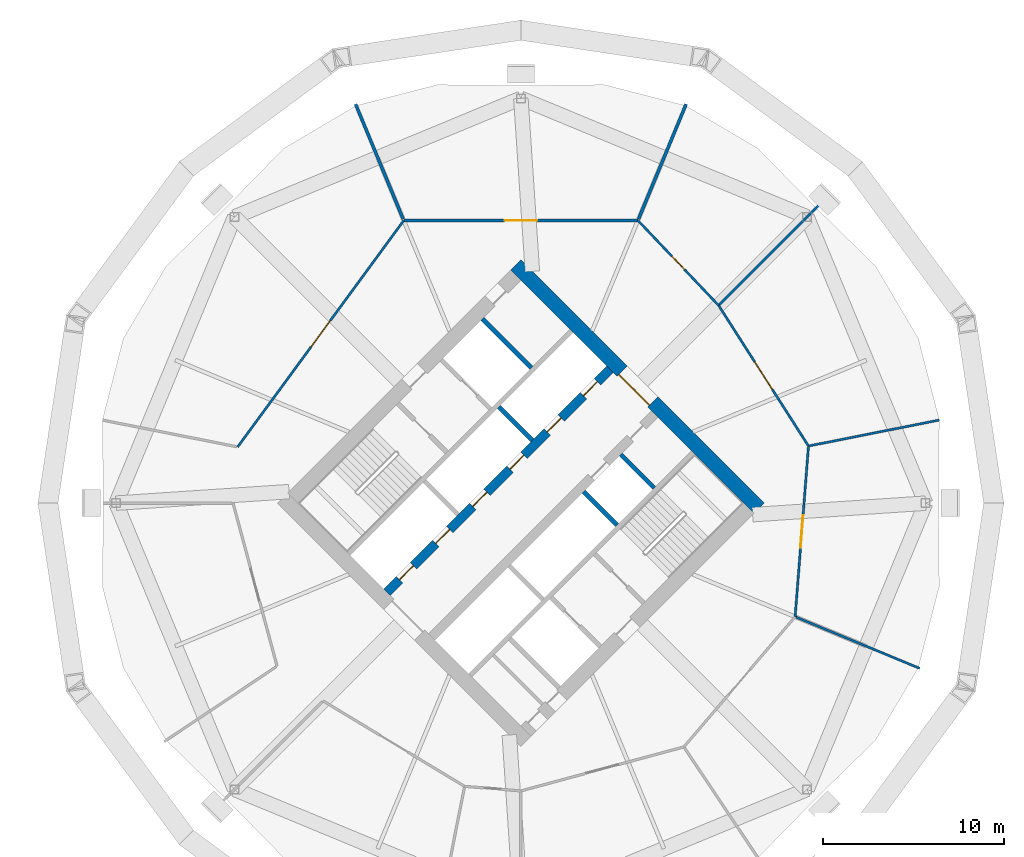
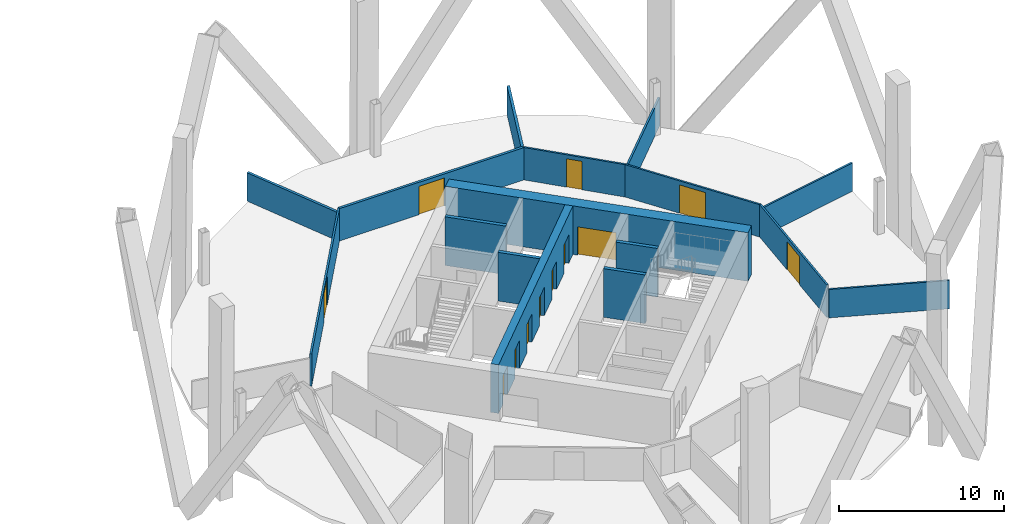
# One storey, part 7 of 10: 16 walls, 12 doors, 12 openings.
"""IFC4 building model written with IfcOpenShell, lengths in metres."""

from ifc_helpers import new_model, si_unit, direction, frame, frame_2d, origin, place, context, subcontext, project, spatial, rectangle, extrude, material, layer, layer_set, type_object, element, fill, save


model = new_model("IFC4")

# Units and contexts
model_context = context("Model", 3, precision=1e-05, world=origin(), true_north=direction((0.0, 1.0)))
body_context = subcontext(model_context, "Body", "Model", "MODEL_VIEW")
ifc_project = project(units=[si_unit("LENGTHUNIT", "METRE"), si_unit("AREAUNIT", "SQUARE_METRE"), si_unit("VOLUMEUNIT", "CUBIC_METRE"), si_unit("PLANEANGLEUNIT", "RADIAN"), si_unit("MASSUNIT", "GRAM", prefix="KILO")], contexts=[model_context])

# Site, building, storey
site_placement = place(None, origin())
site = spatial("IfcSite", under=ifc_project, at=site_placement, CompositionType="ELEMENT")
building_placement = place(site_placement, origin())
building = spatial("IfcBuilding", under=site, at=building_placement, Name="Ogive Gate Towers", CompositionType="ELEMENT")
storey_placement = place(building_placement, frame((0.0, 0.0, 119.10009765625)))
storey = spatial("IfcBuildingStorey", under=building, at=storey_placement, Name="L28", CompositionType="ELEMENT", Elevation=119.10009765625)

# Walls
ifc_material_1 = material(Name="Gypsum board acoustic partition")
ifc_layer_1 = layer(ifc_material_1, 0.175048828125)
ifc_layer_set_1 = layer_set([ifc_layer_1], Name="Acoustic partition 175")
wall_type_1 = type_object("IfcWallType", Name="Acoustic partition 175", PredefinedType="PARTITIONING", material=ifc_layer_set_1)
for number, where, z_axis, x_axis, name in (
    (1, (45.124755859375, 22.029052734375, 0.0), (0.0, 0.0, 1.0), (-0.382677442996, -0.923882013367, 0.0), "Partition T2-L28-003"),
    (2, (26.875244140625, 22.029052734375, 0.0), (0.0, 0.0, 1.0), (0.382677442996, -0.923882013367, 0.0), "Partition T2-L28-004"),
):
    element("IfcWall", number, at=place(storey_placement, frame(where, z_axis=z_axis, x_axis=x_axis)), inside=storey, type_object=wall_type_1, Name=name, PredefinedType="PARTITIONING", context=body_context, shape_type="SweptSolid", body=[
        extrude(rectangle(XDim=6.864013671875, YDim=0.175048828125, at=frame_2d((3.43212890625, 0.0))), origin(), (0.0, 0.0, 1.0), 2.099853515625),
    ])

# Wall, opening, door
wall_1_placement = place(storey_placement, frame((42.464599609375, 15.606689453125, 0.0), z_axis=(0.0, 0.0, 1.0), x_axis=(-1.0, 0.0, 0.0)))
wall_1 = element("IfcWall", 3, at=wall_1_placement, inside=storey, type_object=wall_type_1, Name="Partition T2-L28-021", PredefinedType="PARTITIONING", context=body_context, shape_type="SweptSolid", body=[
    extrude(rectangle(XDim=12.92919921875, YDim=0.175048828125, at=frame_2d((6.464599609375, 0.0))), origin(), (0.0, 0.0, 1.0), 2.39990234375),
])
opening_1_placement = place(wall_1_placement, frame((5.56396484375, 0.0, 0.0)))
opening_1 = element("IfcOpeningElement", 4, at=opening_1_placement, cuts=wall_1, Name="Opening T2-L28-D09", PredefinedType="OPENING", context=body_context, shape_type="SweptSolid", body=[
    extrude(rectangle(XDim=1.800048828125, YDim=2.10009765625, at=frame_2d((0.89990234375, 1.050048828125))), frame((0.0, 0.09765625, 0.0), z_axis=(0.0, -1.0, 0.0), x_axis=(1.0, 0.0, 0.0)), (0.0, 0.0, 1.0), 0.195068359375),
])
ifc_material_2 = material(Name="Timber door", Category="wood")
door_type_1 = type_object("IfcDoorType", Name="Door pair 1800", OperationType="NOTDEFINED", PredefinedType="DOOR", material=ifc_material_2)
door_1_placement = place(opening_1_placement, origin())
door_1 = element("IfcDoor", 5, at=door_1_placement, inside=storey, type_object=door_type_1, Name="Door T2-L28-D09", OperationType="DOUBLE_DOOR_DOUBLE_SWING", OverallHeight=2.10009765625, OverallWidth=1.800048828125, PredefinedType="DOOR", context=body_context, shape_type="SweptSolid", body=[
    extrude(rectangle(XDim=1.800048828125, YDim=2.10009765625, at=frame_2d((0.89990234375, 1.050048828125))), frame((0.0, 0.02490234375, 0.0), z_axis=(0.0, -1.0, 0.0), x_axis=(1.0, 0.0, 0.0)), (0.0, 0.0, 1.0), 0.050048828125),
])
fill(opening_1, door_1)

ifc_material_3 = material(Name="Concrete C60/75", Category="concrete")
ifc_layer_2 = layer(ifc_material_3, 0.800048828125)
ifc_layer_set_2 = layer_set([ifc_layer_2], Name="Core wall 800 mm")
wall_type_2 = type_object("IfcWallType", Name="Core wall 800 mm", PredefinedType="SHEAR", material=ifc_layer_set_2)
wall_2_placement = place(storey_placement, frame((49.152099609375, -0.28271484375, 0.0), z_axis=(0.0, 0.0, 1.0), x_axis=(-0.707106781187, 0.707106781187, 0.0)))
wall_2 = element("IfcWall", 6, at=wall_2_placement, inside=storey, type_object=wall_type_2, Name="T2 L28 Core wall 800 mm", PredefinedType="SHEAR", context=body_context, shape_type="SweptSolid", body=[
    extrude(rectangle(XDim=18.999755859375, YDim=0.800048828125, at=frame_2d((9.5, 0.0))), origin(), (0.0, 0.0, 1.0), 3.599853515625),
])
opening_2_placement = place(wall_2_placement, frame((8.300048828125, 0.0, 0.0)))
opening_2 = element("IfcOpeningElement", 7, at=opening_2_placement, cuts=wall_2, Name="Opening KD-T2-L28-02", PredefinedType="OPENING", context=body_context, shape_type="SweptSolid", body=[
    extrude(rectangle(XDim=2.39990234375, YDim=2.10009765625, at=frame_2d((1.199951171875, 1.050048828125))), frame((0.0, 0.41015625, 0.0), z_axis=(0.0, -1.0, 0.0), x_axis=(1.0, 0.0, 0.0)), (0.0, 0.0, 1.0), 0.820068359375),
])
ifc_material_4 = material(Name="Steel fire door", Category="steel")
door_type_2 = type_object("IfcDoorType", Name="Core double door FD60S 2400 x 2100", OperationType="DOUBLE_DOOR_SINGLE_SWING", PredefinedType="DOOR", material=ifc_material_4)
door_2_placement = place(opening_2_placement, origin())
door_2 = element("IfcDoor", 8, at=door_2_placement, inside=storey, type_object=door_type_2, Name="T2 L28 Core door double", OperationType="DOUBLE_DOOR_SINGLE_SWING", OverallHeight=2.10009765625, OverallWidth=2.39990234375, PredefinedType="DOOR", context=body_context, shape_type="SweptSolid", body=[
    extrude(rectangle(XDim=2.39990234375, YDim=2.10009765625, at=frame_2d((1.199951171875, 1.050048828125))), frame((0.0, 0.27490234375, 0.0), z_axis=(0.0, -1.0, 0.0), x_axis=(1.0, 0.0, 0.0)), (0.0, 0.0, 1.0), 0.050048828125),
])
fill(opening_2, door_2)

# Walls
ifc_material_5 = material(Name="Gypsum board partition")
ifc_layer_3 = layer(ifc_material_5, 0.125)
ifc_layer_set_3 = layer_set([ifc_layer_3], Name="Partition 125")
wall_type_3 = type_object("IfcWallType", Name="Partition 125", PredefinedType="PARTITIONING", material=ifc_layer_set_3)
wall_3_placement = place(storey_placement, frame((59.1083984375, 4.5888671875, 0.0), z_axis=(0.0, 0.0, 1.0), x_axis=(-0.980848402392, -0.19477271761, 0.0)))
element("IfcWall", 9, at=wall_3_placement, inside=storey, type_object=wall_type_3, Name="Partition T2-L28-001", PredefinedType="PARTITIONING", context=body_context, shape_type="SweptSolid", body=[
    extrude(rectangle(XDim=7.30517578125, YDim=0.125, at=frame_2d((3.652587890625, 0.0))), origin(), (0.0, 0.0, 1.0), 2.099853515625),
])
wall_4_placement = place(storey_placement, frame((52.4169921875, 16.4169921875, 0.0), z_axis=(0.0, 0.0, 1.0), x_axis=(-0.707106781187, -0.707106781187, 0.0)))
element("IfcWall", 10, at=wall_4_placement, inside=storey, type_object=wall_type_3, Name="Partition T2-L28-002", PredefinedType="PARTITIONING", context=body_context, shape_type="SweptSolid", body=[
    extrude(rectangle(XDim=7.71337890625, YDim=0.125, at=frame_2d((3.856689453125, 0.0))), origin(), (0.0, 0.0, 1.0), 2.099853515625),
])
wall_5_placement = place(storey_placement, frame((58.029052734375, -9.124755859375, 0.0), z_axis=(0.0, 0.0, 1.0), x_axis=(-0.923882331768, 0.382676674291, 0.0)))
element("IfcWall", 11, at=wall_5_placement, inside=storey, type_object=wall_type_3, Name="Partition T2-L28-012", PredefinedType="PARTITIONING", context=body_context, shape_type="SweptSolid", body=[
    extrude(rectangle(XDim=7.38916015625, YDim=0.125, at=frame_2d((3.694580078125, 0.0))), origin(), (0.0, 0.0, 1.0), 2.099853515625),
])

# Wall, opening, door
wall_6_placement = place(storey_placement, frame((51.144775390625, -6.273193359375, 0.0), z_axis=(0.0, 0.0, 1.0), x_axis=(0.07794821481, 0.996957409225, 0.0)))
wall_6 = element("IfcWall", 12, at=wall_6_placement, inside=storey, type_object=wall_type_3, Name="Partition T2-L28-018", PredefinedType="PARTITIONING", context=body_context, shape_type="SweptSolid", body=[
    extrude(rectangle(XDim=9.455810546875, YDim=0.125, at=frame_2d((4.72802734375, 0.0))), origin(), (0.0, 0.0, 1.0), 2.39990234375),
])
opening_3_placement = place(wall_6_placement, frame((3.827880859375, 0.0, 0.0)))
opening_3 = element("IfcOpeningElement", 13, at=opening_3_placement, cuts=wall_6, Name="Opening T2-L28-D06", PredefinedType="OPENING", context=body_context, shape_type="SweptSolid", body=[
    extrude(rectangle(XDim=1.800048828125, YDim=2.10009765625, at=frame_2d((0.89990234375, 1.050048828125))), frame((0.0, 0.072509765625, 0.0), z_axis=(0.0, -1.0, 0.0), x_axis=(1.0, 0.0, 0.0)), (0.0, 0.0, 1.0), 0.14501953125),
])
door_3_placement = place(opening_3_placement, origin())
door_3 = element("IfcDoor", 14, at=door_3_placement, inside=storey, type_object=door_type_1, Name="Door T2-L28-D06", OperationType="DOUBLE_DOOR_DOUBLE_SWING", OverallHeight=2.10009765625, OverallWidth=1.800048828125, PredefinedType="DOOR", context=body_context, shape_type="SweptSolid", body=[
    extrude(rectangle(XDim=1.800048828125, YDim=2.10009765625, at=frame_2d((0.89990234375, 1.050048828125))), frame((0.0, 0.02490234375, 0.0), z_axis=(0.0, -1.0, 0.0), x_axis=(1.0, 0.0, 0.0)), (0.0, 0.0, 1.0), 0.050048828125),
])
fill(opening_3, door_3)

wall_7_placement = place(storey_placement, frame((51.8818359375, 3.15380859375, 0.0), z_axis=(0.0, 0.0, 1.0), x_axis=(-0.538561197049, 0.84258639737, 0.0)))
wall_7 = element("IfcWall", 15, at=wall_7_placement, inside=storey, type_object=wall_type_3, Name="Partition T2-L28-019", PredefinedType="PARTITIONING", context=body_context, shape_type="SweptSolid", body=[
    extrude(rectangle(XDim=9.215576171875, YDim=0.125, at=frame_2d((4.60791015625, 0.0))), origin(), (0.0, 0.0, 1.0), 2.39990234375),
])
opening_4_placement = place(wall_7_placement, frame((3.7080078125, 0.0, 0.0)))
opening_4 = element("IfcOpeningElement", 16, at=opening_4_placement, cuts=wall_7, Name="Opening T2-L28-D07", PredefinedType="OPENING", context=body_context, shape_type="SweptSolid", body=[
    extrude(rectangle(XDim=1.800048828125, YDim=2.10009765625, at=frame_2d((0.89990234375, 1.050048828125))), frame((0.0, 0.072509765625, 0.0), z_axis=(0.0, -1.0, 0.0), x_axis=(1.0, 0.0, 0.0)), (0.0, 0.0, 1.0), 0.14501953125),
])
door_4_placement = place(opening_4_placement, origin())
door_4 = element("IfcDoor", 17, at=door_4_placement, inside=storey, type_object=door_type_1, Name="Door T2-L28-D07", OperationType="DOUBLE_DOOR_DOUBLE_SWING", OverallHeight=2.10009765625, OverallWidth=1.800048828125, PredefinedType="DOOR", context=body_context, shape_type="SweptSolid", body=[
    extrude(rectangle(XDim=1.800048828125, YDim=2.10009765625, at=frame_2d((0.89990234375, 1.050048828125))), frame((0.0, 0.02490234375, 0.0), z_axis=(0.0, -1.0, 0.0), x_axis=(1.0, 0.0, 0.0)), (0.0, 0.0, 1.0), 0.050048828125),
])
fill(opening_4, door_4)

wall_8_placement = place(storey_placement, frame((46.918701171875, 10.918701171875, 0.0), z_axis=(0.0, 0.0, 1.0), x_axis=(-0.688791134482, 0.724959842377, 0.0)))
wall_8 = element("IfcWall", 18, at=wall_8_placement, inside=storey, type_object=wall_type_3, Name="Partition T2-L28-020", PredefinedType="PARTITIONING", context=body_context, shape_type="SweptSolid", body=[
    extrude(rectangle(XDim=6.466552734375, YDim=0.125, at=frame_2d((3.2333984375, 0.0))), origin(), (0.0, 0.0, 1.0), 2.39990234375),
])
opening_5_placement = place(wall_8_placement, frame((2.73291015625, 0.0, 0.0)))
opening_5 = element("IfcOpeningElement", 19, at=opening_5_placement, cuts=wall_8, Name="Opening T2-L28-D08", PredefinedType="OPENING", context=body_context, shape_type="SweptSolid", body=[
    extrude(rectangle(XDim=1.0, YDim=2.10009765625, at=frame_2d((0.5, 1.050048828125))), frame((0.0, 0.072509765625, 0.0), z_axis=(0.0, -1.0, 0.0), x_axis=(1.0, 0.0, 0.0)), (0.0, 0.0, 1.0), 0.14501953125),
])
door_type_3 = type_object("IfcDoorType", Name="Door 1000", OperationType="NOTDEFINED", PredefinedType="DOOR", material=ifc_material_2)
door_5_placement = place(opening_5_placement, origin())
door_5 = element("IfcDoor", 20, at=door_5_placement, inside=storey, type_object=door_type_3, Name="Door T2-L28-D08", OperationType="SINGLE_SWING_LEFT", OverallHeight=2.10009765625, OverallWidth=1.0, PredefinedType="DOOR", context=body_context, shape_type="SweptSolid", body=[
    extrude(rectangle(XDim=1.0, YDim=2.10009765625, at=frame_2d((0.5, 1.050048828125))), frame((0.0, 0.02490234375, 0.0), z_axis=(0.0, -1.0, 0.0), x_axis=(1.0, 0.0, 0.0)), (0.0, 0.0, 1.0), 0.050048828125),
])
fill(opening_5, door_5)

wall_9_placement = place(storey_placement, frame((29.535400390625, 15.606689453125, 0.0), z_axis=(0.0, 0.0, 1.0), x_axis=(-0.591539761616, -0.806275827758, 0.0)))
wall_9 = element("IfcWall", 21, at=wall_9_placement, inside=storey, type_object=wall_type_3, Name="Partition T2-L28-022", PredefinedType="PARTITIONING", context=body_context, shape_type="SweptSolid", body=[
    extrude(rectangle(XDim=15.505615234375, YDim=0.125, at=frame_2d((7.7529296875, 0.0))), origin(), (0.0, 0.0, 1.0), 2.39990234375),
])
opening_6_placement = place(wall_9_placement, frame((6.85302734375, 0.0, 0.0)))
opening_6 = element("IfcOpeningElement", 22, at=opening_6_placement, cuts=wall_9, Name="Opening T2-L28-D10", PredefinedType="OPENING", context=body_context, shape_type="SweptSolid", body=[
    extrude(rectangle(XDim=1.800048828125, YDim=2.10009765625, at=frame_2d((0.89990234375, 1.050048828125))), frame((0.0, 0.072509765625, 0.0), z_axis=(0.0, -1.0, 0.0), x_axis=(1.0, 0.0, 0.0)), (0.0, 0.0, 1.0), 0.14501953125),
])
door_6_placement = place(opening_6_placement, origin())
door_6 = element("IfcDoor", 23, at=door_6_placement, inside=storey, type_object=door_type_1, Name="Door T2-L28-D10", OperationType="DOUBLE_DOOR_DOUBLE_SWING", OverallHeight=2.10009765625, OverallWidth=1.800048828125, PredefinedType="DOOR", context=body_context, shape_type="SweptSolid", body=[
    extrude(rectangle(XDim=1.800048828125, YDim=2.10009765625, at=frame_2d((0.89990234375, 1.050048828125))), frame((0.0, 0.02490234375, 0.0), z_axis=(0.0, -1.0, 0.0), x_axis=(1.0, 0.0, 0.0)), (0.0, 0.0, 1.0), 0.050048828125),
])
fill(opening_6, door_6)

# Walls
ifc_layer_4 = layer(ifc_material_3, 0.25)
ifc_layer_set_4 = layer_set([ifc_layer_4], Name="Shaft wall 250 mm")
wall_type_4 = type_object("IfcWallType", Name="Shaft wall 250 mm", PredefinedType="SHEAR", material=ifc_layer_set_4)
for number, where, z_axis, x_axis, name in (
    (24, (41.321044921875, -1.2197265625, 0.0), (0.0, 0.0, 1.0), (-0.707106781187, 0.707106781187, 0.0), "T2 L28 Shaft wall 250 mm"),
    (25, (36.636474609375, 3.46484375, 0.0), (0.0, 0.0, 1.0), (-0.707106781187, 0.707106781187, 0.0), "T2 L28 Shaft wall 250 mm"),
):
    element("IfcWall", number, at=place(storey_placement, frame(where, z_axis=z_axis, x_axis=x_axis)), inside=storey, type_object=wall_type_4, Name=name, PredefinedType="SHEAR", context=body_context, shape_type="SweptSolid", body=[
        extrude(rectangle(XDim=2.625, YDim=0.25, at=frame_2d((1.3125, 0.0))), origin(), (0.0, 0.0, 1.0), 3.599853515625),
    ])
wall_10_placement = place(storey_placement, frame((36.58349609375, 7.477783203125, 0.0), z_axis=(0.0, 0.0, 1.0), x_axis=(-0.707138693938, 0.707074866995, 0.0)))
element("IfcWall", 26, at=wall_10_placement, inside=storey, type_object=wall_type_4, Name="T2 L28 Shaft wall 250 mm", PredefinedType="SHEAR", context=body_context, shape_type="SweptSolid", body=[
    extrude(rectangle(XDim=3.824951171875, YDim=0.25, at=frame_2d((1.91259765625, 0.0))), origin(), (0.0, 0.0, 1.0), 3.599853515625),
])
wall_11_placement = place(storey_placement, frame((43.37158203125, 0.830810546875, 0.0), z_axis=(0.0, 0.0, 1.0), x_axis=(-0.707106781187, 0.707106781187, 0.0)))
element("IfcWall", 27, at=wall_11_placement, inside=storey, type_object=wall_type_4, Name="T2 L28 Shaft wall 250 mm", PredefinedType="SHEAR", context=body_context, shape_type="SweptSolid", body=[
    extrude(rectangle(XDim=2.625, YDim=0.25, at=frame_2d((1.3125, 0.0))), origin(), (0.0, 0.0, 1.0), 3.599853515625),
])

# Wall, openings, doors
ifc_layer_5 = layer(ifc_material_3, 0.5)
ifc_layer_set_5 = layer_set([ifc_layer_5], Name="Spine wall 500 mm")
wall_type_5 = type_object("IfcWallType", Name="Spine wall 500 mm", PredefinedType="SHEAR", material=ifc_layer_set_5)
wall_12_placement = place(storey_placement, frame((28.610595703125, -4.914306640625, 0.0), z_axis=(0.0, 0.0, 1.0), x_axis=(0.707106781187, 0.707106781187, 0.0)))
wall_12 = element("IfcWall", 28, at=wall_12_placement, inside=storey, type_object=wall_type_5, Name="T2 L28 Spine wall 500 mm", PredefinedType="SHEAR", context=body_context, shape_type="SweptSolid", body=[
    extrude(rectangle(XDim=17.400146484375, YDim=0.5, at=frame_2d((8.7001953125, 0.0))), origin(), (0.0, 0.0, 1.0), 3.599853515625),
])
opening_7_placement = place(wall_12_placement, frame((0.96240234375, 0.0, 0.0)))
opening_7 = element("IfcOpeningElement", 29, at=opening_7_placement, cuts=wall_12, Name="Opening LD-T2-L28-03", PredefinedType="OPENING", context=body_context, shape_type="SweptSolid", body=[
    extrude(rectangle(XDim=1.10009765625, YDim=2.10009765625, at=frame_2d((0.550048828125, 1.050048828125))), frame((0.0, 0.260009765625, 0.0), z_axis=(0.0, -1.0, 0.0), x_axis=(1.0, 0.0, 0.0)), (0.0, 0.0, 1.0), 0.52001953125),
])
opening_8_placement = place(wall_12_placement, frame((3.800048828125, 0.0, 0.0)))
opening_8 = element("IfcOpeningElement", 30, at=opening_8_placement, cuts=wall_12, Name="Opening LD-T2-L28-04", PredefinedType="OPENING", context=body_context, shape_type="SweptSolid", body=[
    extrude(rectangle(XDim=1.10009765625, YDim=2.10009765625, at=frame_2d((0.550048828125, 1.050048828125))), frame((0.0, 0.260009765625, 0.0), z_axis=(0.0, -1.0, 0.0), x_axis=(1.0, 0.0, 0.0)), (0.0, 0.0, 1.0), 0.52001953125),
])
opening_9_placement = place(wall_12_placement, frame((6.699951171875, 0.0, 0.0)))
opening_9 = element("IfcOpeningElement", 31, at=opening_9_placement, cuts=wall_12, Name="Opening LD-T2-L28-05", PredefinedType="OPENING", context=body_context, shape_type="SweptSolid", body=[
    extrude(rectangle(XDim=1.10009765625, YDim=2.10009765625, at=frame_2d((0.550048828125, 1.050048828125))), frame((0.0, 0.260009765625, 0.0), z_axis=(0.0, -1.0, 0.0), x_axis=(1.0, 0.0, 0.0)), (0.0, 0.0, 1.0), 0.52001953125),
])
opening_10_placement = place(wall_12_placement, frame((9.60009765625, 0.0, 0.0)))
opening_10 = element("IfcOpeningElement", 32, at=opening_10_placement, cuts=wall_12, Name="Opening LD-T2-L28-06", PredefinedType="OPENING", context=body_context, shape_type="SweptSolid", body=[
    extrude(rectangle(XDim=1.10009765625, YDim=2.10009765625, at=frame_2d((0.550048828125, 1.050048828125))), frame((0.0, 0.260009765625, 0.0), z_axis=(0.0, -1.0, 0.0), x_axis=(1.0, 0.0, 0.0)), (0.0, 0.0, 1.0), 0.52001953125),
])
opening_11_placement = place(wall_12_placement, frame((12.5, 0.0, 0.0)))
opening_11 = element("IfcOpeningElement", 33, at=opening_11_placement, cuts=wall_12, Name="Opening LD-T2-L28-07", PredefinedType="OPENING", context=body_context, shape_type="SweptSolid", body=[
    extrude(rectangle(XDim=1.10009765625, YDim=2.10009765625, at=frame_2d((0.550048828125, 1.050048828125))), frame((0.0, 0.260009765625, 0.0), z_axis=(0.0, -1.0, 0.0), x_axis=(1.0, 0.0, 0.0)), (0.0, 0.0, 1.0), 0.52001953125),
])
opening_12_placement = place(wall_12_placement, frame((15.33740234375, 0.0, 0.0)))
opening_12 = element("IfcOpeningElement", 34, at=opening_12_placement, cuts=wall_12, Name="Opening LD-T2-L28-08", PredefinedType="OPENING", context=body_context, shape_type="SweptSolid", body=[
    extrude(rectangle(XDim=1.10009765625, YDim=2.10009765625, at=frame_2d((0.550048828125, 1.050048828125))), frame((0.0, 0.260009765625, 0.0), z_axis=(0.0, -1.0, 0.0), x_axis=(1.0, 0.0, 0.0)), (0.0, 0.0, 1.0), 0.52001953125),
])
ifc_material_6 = material(Name="Stainless steel landing door", Category="steel")
door_type_4 = type_object("IfcDoorType", Name="Landing door 1100 x 2100", OperationType="SLIDING_TO_LEFT", PredefinedType="DOOR", material=ifc_material_6)
door_7_placement = place(opening_7_placement, origin())
door_7 = element("IfcDoor", 35, at=door_7_placement, inside=storey, type_object=door_type_4, Name="T2 L28 Lift landing door A1", OperationType="SLIDING_TO_LEFT", OverallHeight=2.10009765625, OverallWidth=1.10009765625, PredefinedType="DOOR", context=body_context, shape_type="SweptSolid", body=[
    extrude(rectangle(XDim=1.10009765625, YDim=2.10009765625, at=frame_2d((0.550048828125, 1.050048828125))), frame((0.0, 0.02490234375, 0.0), z_axis=(0.0, -1.0, 0.0), x_axis=(1.0, 0.0, 0.0)), (0.0, 0.0, 1.0), 0.050048828125),
])
fill(opening_7, door_7)
door_8_placement = place(opening_8_placement, origin())
door_8 = element("IfcDoor", 36, at=door_8_placement, inside=storey, type_object=door_type_4, Name="T2 L28 Lift landing door A2", OperationType="SLIDING_TO_LEFT", OverallHeight=2.10009765625, OverallWidth=1.10009765625, PredefinedType="DOOR", context=body_context, shape_type="SweptSolid", body=[
    extrude(rectangle(XDim=1.10009765625, YDim=2.10009765625, at=frame_2d((0.550048828125, 1.050048828125))), frame((0.0, 0.02490234375, 0.0), z_axis=(0.0, -1.0, 0.0), x_axis=(1.0, 0.0, 0.0)), (0.0, 0.0, 1.0), 0.050048828125),
])
fill(opening_8, door_8)
door_9_placement = place(opening_9_placement, origin())
door_9 = element("IfcDoor", 37, at=door_9_placement, inside=storey, type_object=door_type_4, Name="T2 L28 Lift landing door A3", OperationType="SLIDING_TO_LEFT", OverallHeight=2.10009765625, OverallWidth=1.10009765625, PredefinedType="DOOR", context=body_context, shape_type="SweptSolid", body=[
    extrude(rectangle(XDim=1.10009765625, YDim=2.10009765625, at=frame_2d((0.550048828125, 1.050048828125))), frame((0.0, 0.02490234375, 0.0), z_axis=(0.0, -1.0, 0.0), x_axis=(1.0, 0.0, 0.0)), (0.0, 0.0, 1.0), 0.050048828125),
])
fill(opening_9, door_9)
door_10_placement = place(opening_10_placement, origin())
door_10 = element("IfcDoor", 38, at=door_10_placement, inside=storey, type_object=door_type_4, Name="T2 L28 Lift landing door A4", OperationType="SLIDING_TO_LEFT", OverallHeight=2.10009765625, OverallWidth=1.10009765625, PredefinedType="DOOR", context=body_context, shape_type="SweptSolid", body=[
    extrude(rectangle(XDim=1.10009765625, YDim=2.10009765625, at=frame_2d((0.550048828125, 1.050048828125))), frame((0.0, 0.02490234375, 0.0), z_axis=(0.0, -1.0, 0.0), x_axis=(1.0, 0.0, 0.0)), (0.0, 0.0, 1.0), 0.050048828125),
])
fill(opening_10, door_10)
door_11_placement = place(opening_11_placement, origin())
door_11 = element("IfcDoor", 39, at=door_11_placement, inside=storey, type_object=door_type_4, Name="T2 L28 Lift landing door A5", OperationType="SLIDING_TO_LEFT", OverallHeight=2.10009765625, OverallWidth=1.10009765625, PredefinedType="DOOR", context=body_context, shape_type="SweptSolid", body=[
    extrude(rectangle(XDim=1.10009765625, YDim=2.10009765625, at=frame_2d((0.550048828125, 1.050048828125))), frame((0.0, 0.02490234375, 0.0), z_axis=(0.0, -1.0, 0.0), x_axis=(1.0, 0.0, 0.0)), (0.0, 0.0, 1.0), 0.050048828125),
])
fill(opening_11, door_11)
door_12_placement = place(opening_12_placement, origin())
door_12 = element("IfcDoor", 40, at=door_12_placement, inside=storey, type_object=door_type_4, Name="T2 L28 Lift landing door A6", OperationType="SLIDING_TO_LEFT", OverallHeight=2.10009765625, OverallWidth=1.10009765625, PredefinedType="DOOR", context=body_context, shape_type="SweptSolid", body=[
    extrude(rectangle(XDim=1.10009765625, YDim=2.10009765625, at=frame_2d((0.550048828125, 1.050048828125))), frame((0.0, 0.02490234375, 0.0), z_axis=(0.0, -1.0, 0.0), x_axis=(1.0, 0.0, 0.0)), (0.0, 0.0, 1.0), 0.050048828125),
])
fill(opening_12, door_12)

save(model, "model.ifc")
